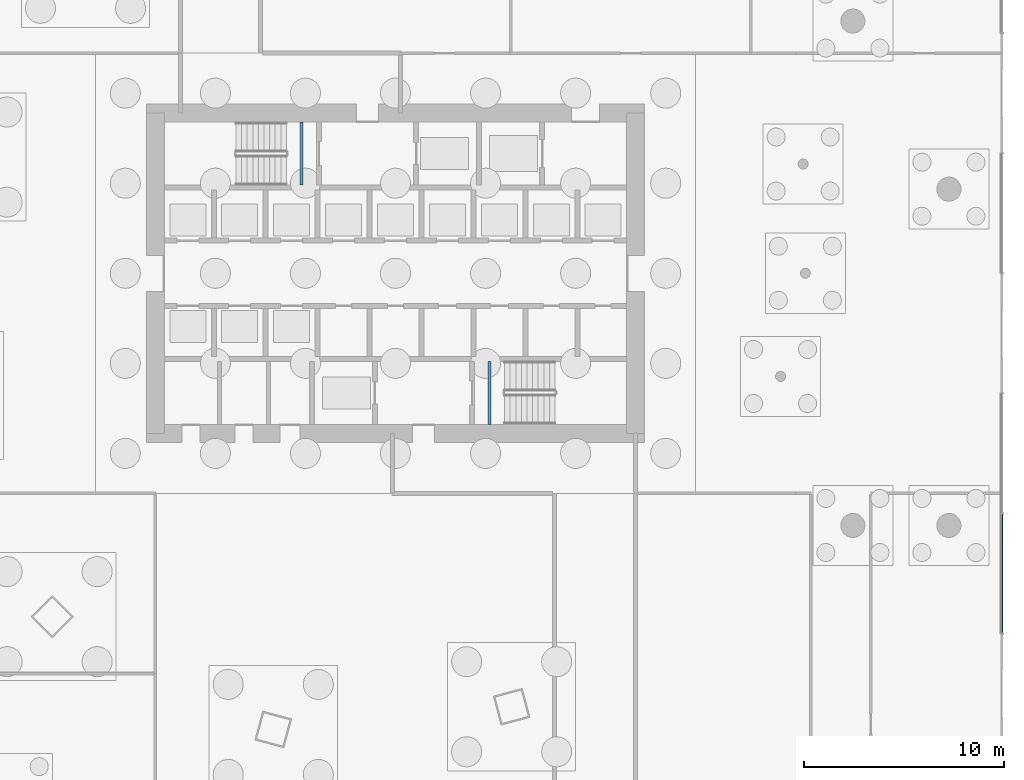
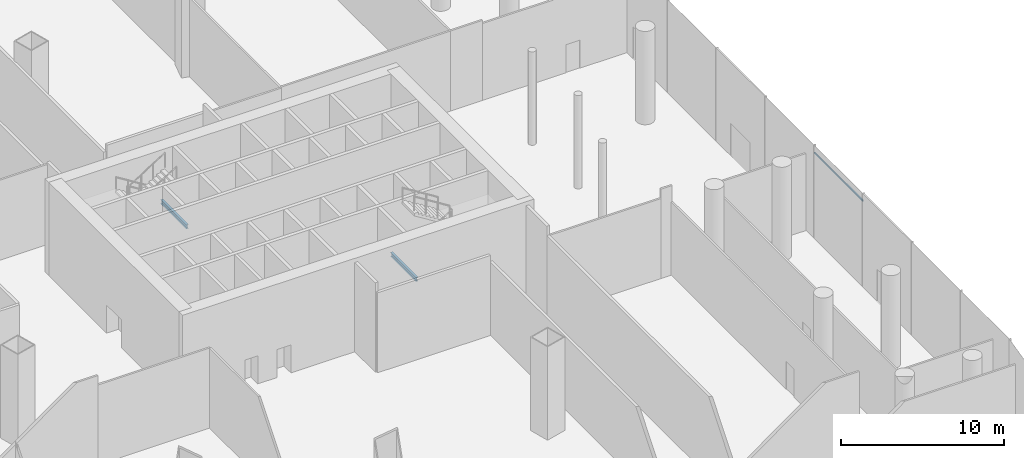
# One storey, part 13 of 41: 2 beams, 1 member, 1 element without a shape of its own.
"""IFC4 building model written with IfcOpenShell, lengths in metres."""

from ifc_helpers import new_model, si_unit, direction, frame, origin, origin_2d, place, context, subcontext, project, spatial, rectangle, i_section, extrude, material, material_profile, profile_set, type_object, element, aggregate, save


model = new_model("IFC4")

# Units and contexts
model_context = context("Model", 3, precision=1e-05, world=origin(), true_north=direction((0.0, 1.0)))
body_context = subcontext(model_context, "Body", "Model", "MODEL_VIEW")
ifc_project = project(units=[si_unit("LENGTHUNIT", "METRE"), si_unit("AREAUNIT", "SQUARE_METRE"), si_unit("VOLUMEUNIT", "CUBIC_METRE"), si_unit("PLANEANGLEUNIT", "RADIAN"), si_unit("MASSUNIT", "GRAM", prefix="KILO")], contexts=[model_context])

# Site, building, storey
site_placement = place(None, origin())
site = spatial("IfcSite", under=ifc_project, at=site_placement, CompositionType="ELEMENT")
building_placement = place(site_placement, origin())
building = spatial("IfcBuilding", under=site, at=building_placement, Name="Rimbun Link Towers", CompositionType="ELEMENT")
storey_placement = place(building_placement, origin())
storey = spatial("IfcBuildingStorey", under=building, at=storey_placement, Name="L00", CompositionType="ELEMENT", Elevation=0.0)

# Curtain wall, member
ifc_material_1 = material(Name="Aluminium 6063-T6 and low-iron glass", Category="aluminium")
curtain_wall_type = type_object("IfcCurtainWallType", Name="CW3 podium shopfront", PredefinedType="NOTDEFINED", material=ifc_material_1)
curtain_wall_placement = place(storey_placement, origin())
curtain_wall = element("IfcCurtainWall", 1, at=curtain_wall_placement, inside=storey, type_object=curtain_wall_type, Name="CW3 L00 PD", PredefinedType="NOTDEFINED")
ifc_material_2 = material(Name="Aluminium 6063-T6", Category="aluminium")
ifc_material_profile_1 = material_profile(ifc_material_2, rectangle(XDim=0.06005859375, YDim=0.1201171875, at=origin_2d()), Name="TRANSOM 60X120")
ifc_profile_set_1 = profile_set([ifc_material_profile_1], Name="Aluminium 6063-T6")
member_type = type_object("IfcMemberType", Name="CW3 transom 60X120", PredefinedType="USERDEFINED", material=ifc_profile_set_1)
member_placement = place(storey_placement, frame((62.053955078125, -12.030029296875, 6.39990234375), z_axis=(0.0, -1.0, 0.0), x_axis=(1.0, 0.0, 0.0)))
member = element("IfcMember", 2, at=member_placement, type_object=member_type, Name="CW3 transom", ObjectType="TRANSOM", PredefinedType="USERDEFINED", context=body_context, shape_type="SweptSolid", body=[
    extrude(rectangle(XDim=0.06005859375, YDim=0.1201171875, at=origin_2d()), origin(), (0.0, 0.0, 1.0), 5.93994140625),
])
aggregate(curtain_wall, [member])

# Beams
ifc_material_3 = material(Name="Steel S355J2", Category="steel")
ifc_material_profile_2 = material_profile(ifc_material_3, i_section(OverallWidth=0.1650390625, OverallDepth=0.303466796875, WebThickness=0.006103515625, FlangeThickness=0.01025390625, at=origin_2d()), Name="UB 305x165x40")
ifc_profile_set_2 = profile_set([ifc_material_profile_2], Name="Steel S355J2")
beam_type = type_object("IfcBeamType", Name="Stair landing beam UB 305x165x40", PredefinedType="BEAM", material=ifc_profile_set_2)
for number, where, z_axis, x_axis, name in (
    (3, (27.050048828125, 7.550048828125, 3.148193359375), (0.0, -1.0, 0.0), (1.0, 0.0, 0.0), "L00 ST3 stair beam 1"),
    (4, (36.449951171875, -7.550048828125, 3.148193359375), (0.0, 1.0, 0.0), (-1.0, 0.0, 0.0), "L00 ST4 stair beam 1"),
):
    element("IfcBeam", number, at=place(storey_placement, frame(where, z_axis=z_axis, x_axis=x_axis)), inside=storey, type_object=beam_type, Name=name, PredefinedType="BEAM", context=body_context, shape_type="SweptSolid", body=[
        extrude(i_section(OverallWidth=0.1650390625, OverallDepth=0.303466796875, WebThickness=0.006103515625, FlangeThickness=0.01025390625, at=origin_2d()), origin(), (0.0, 0.0, 1.0), 3.150146484375),
    ])

save(model, "model.ifc")
